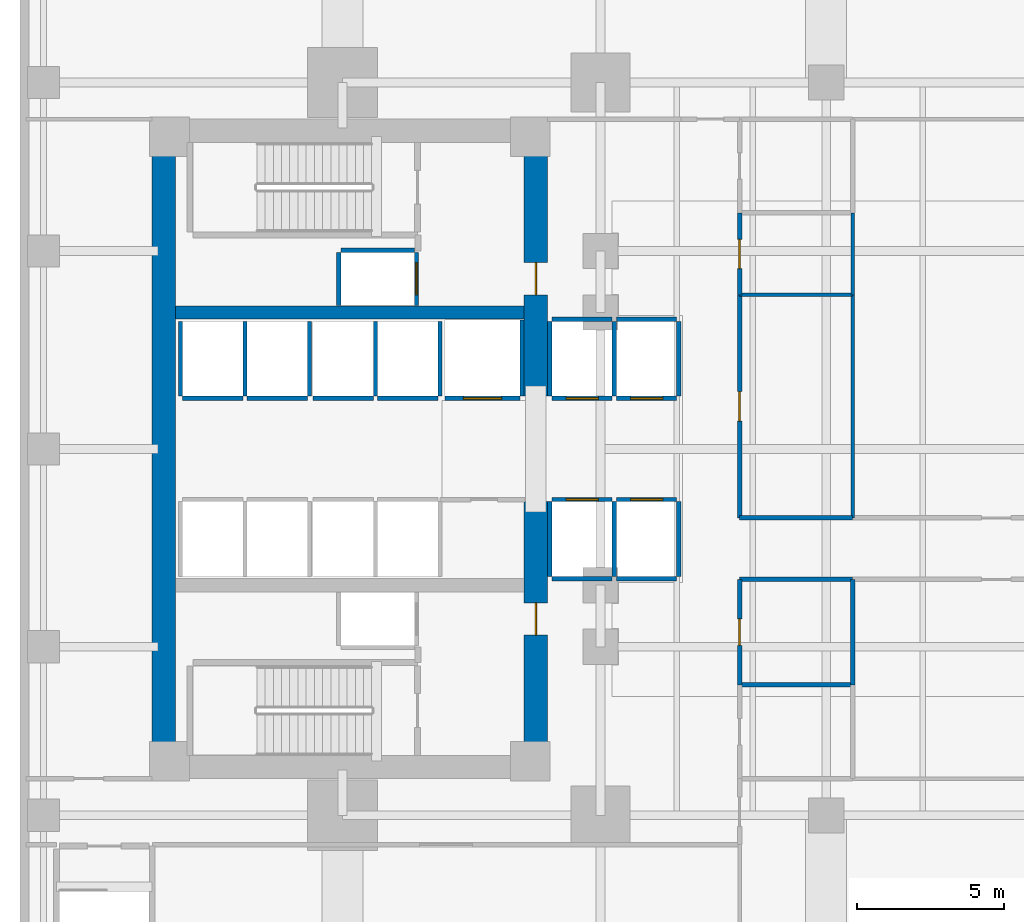
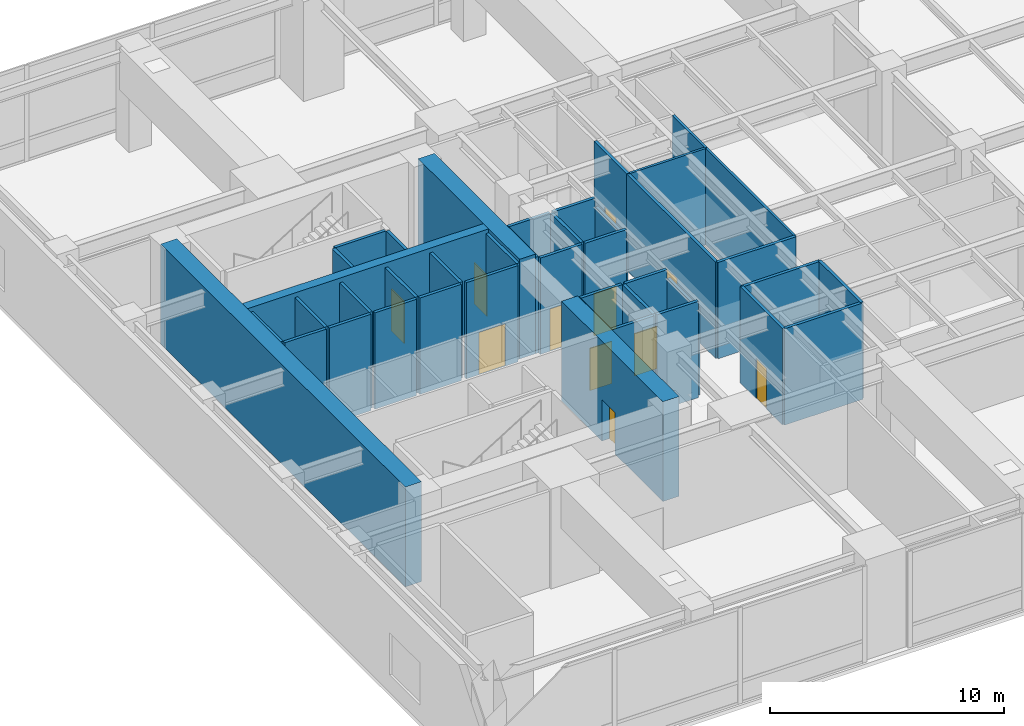
# One storey, part 9 of 14: 42 walls, 11 doors, 11 openings.
"""IFC4 building model written with IfcOpenShell, lengths in metres."""

from ifc_helpers import new_model, si_unit, direction, frame, frame_2d, origin, place, context, subcontext, project, spatial, rectangle, extrude, material, layer, layer_set, type_object, element, fill, save


model = new_model("IFC4")

# Units and contexts
model_context = context("Model", 3, precision=1e-05, world=origin(), true_north=direction((0.0, 1.0)))
body_context = subcontext(model_context, "Body", "Model", "MODEL_VIEW")
ifc_project = project(units=[si_unit("LENGTHUNIT", "METRE"), si_unit("AREAUNIT", "SQUARE_METRE"), si_unit("VOLUMEUNIT", "CUBIC_METRE"), si_unit("PLANEANGLEUNIT", "RADIAN"), si_unit("MASSUNIT", "GRAM", prefix="KILO")], contexts=[model_context])

# Site, building, storey
site_placement = place(None, origin())
site = spatial("IfcSite", under=ifc_project, at=site_placement, CompositionType="ELEMENT")
building_placement = place(site_placement, origin())
building = spatial("IfcBuilding", under=site, at=building_placement, Name="Kinhvarn Gate Tower", CompositionType="ELEMENT")
storey_placement = place(building_placement, frame((0.0, 0.0, 20.39990234375)))
storey = spatial("IfcBuildingStorey", under=building, at=storey_placement, Name="L04", CompositionType="ELEMENT", Elevation=20.39990234375)

# Walls
ifc_material_1 = material(Name="Concrete C50/60", Category="concrete")
ifc_layer_1 = layer(ifc_material_1, 0.449951171875)
ifc_layer_set_1 = layer_set([ifc_layer_1], Name="Concrete C50/60")
wall_type_1 = type_object("IfcWallType", Name="WL-CORE-450", PredefinedType="SHEAR", material=ifc_layer_set_1)
wall_1_placement = place(storey_placement, frame((5.300048828125, 29.89990234375, 0.0), z_axis=(0.0, 0.0, 1.0), x_axis=(1.0, 0.0, 0.0)))
element("IfcWall", 1, at=wall_1_placement, inside=storey, type_object=wall_type_1, Name="Core North Spine Shear Wall L04 450 mm", PredefinedType="SHEAR", context=body_context, shape_type="SweptSolid", body=[
    extrude(rectangle(XDim=11.89990234375, YDim=0.449951171875, at=frame_2d((5.949951171875, 0.0))), origin(), (0.0, 0.0, 1.0), 5.2001953125),
])
ifc_material_2 = material(Name="Concrete C70/85", Category="concrete")
ifc_layer_2 = layer(ifc_material_2, 0.800048828125)
ifc_layer_set_2 = layer_set([ifc_layer_2], Name="Concrete C70/85")
wall_type_2 = type_object("IfcWallType", Name="WL-CORE-800", PredefinedType="SHEAR", material=ifc_layer_set_2)
wall_2_placement = place(storey_placement, frame((4.89990234375, 14.800048828125, 0.0), z_axis=(0.0, 0.0, 1.0), x_axis=(0.0, 1.0, 0.0)))
element("IfcWall", 2, at=wall_2_placement, inside=storey, type_object=wall_type_2, Name="Core West Shear Wall L04 800 mm", PredefinedType="SHEAR", context=body_context, shape_type="SweptSolid", body=[
    extrude(rectangle(XDim=20.89990234375, YDim=0.800048828125, at=frame_2d((10.449951171875, 0.0))), origin(), (0.0, 0.0, 1.0), 5.2001953125),
])

# Wall, opening, door
wall_3_placement = place(storey_placement, frame((17.60009765625, 14.800048828125, 0.0), z_axis=(0.0, 0.0, 1.0), x_axis=(0.0, 1.0, 0.0)))
wall_3 = element("IfcWall", 3, at=wall_3_placement, inside=storey, type_object=wall_type_2, Name="Core East-South Shear Pier L04 800 mm", PredefinedType="SHEAR", context=body_context, shape_type="SweptSolid", body=[
    extrude(rectangle(XDim=8.64990234375, YDim=0.800048828125, at=frame_2d((4.324951171875, 0.0))), origin(), (0.0, 0.0, 1.0), 5.2001953125),
])
opening_1_placement = place(wall_3_placement, frame((4.10009765625, 0.0, 0.0)))
opening_1 = element("IfcOpeningElement", 4, at=opening_1_placement, cuts=wall_3, Name="Opening FD-02", PredefinedType="OPENING", context=body_context, shape_type="SweptSolid", body=[
    extrude(rectangle(XDim=1.10009765625, YDim=2.14990234375, at=frame_2d((0.550048828125, 1.074951171875))), frame((0.0, 0.41015625, 0.0), z_axis=(0.0, -1.0, 0.0), x_axis=(1.0, 0.0, 0.0)), (0.0, 0.0, 1.0), 0.820068359375),
])
ifc_material_3 = material(Name="Anodised aluminium AW-6063", Category="aluminium")
door_type_1 = type_object("IfcDoorType", Name="DR-FD-1100", OperationType="NOTDEFINED", PredefinedType="DOOR", material=ifc_material_3)
door_1_placement = place(opening_1_placement, origin())
door_1 = element("IfcDoor", 5, at=door_1_placement, inside=storey, type_object=door_type_1, Name="Firefighting Lobby Core Door (L04)", OperationType="SINGLE_SWING_RIGHT", OverallHeight=2.14990234375, OverallWidth=1.10009765625, PredefinedType="DOOR", context=body_context, shape_type="SweptSolid", body=[
    extrude(rectangle(XDim=1.10009765625, YDim=2.14990234375, at=frame_2d((0.550048828125, 1.074951171875))), frame((0.0, 0.02490234375, 0.0), z_axis=(0.0, -1.0, 0.0), x_axis=(1.0, 0.0, 0.0)), (0.0, 0.0, 1.0), 0.050048828125),
])
fill(opening_1, door_1)

wall_4_placement = place(storey_placement, frame((17.60009765625, 27.050048828125, 0.0), z_axis=(0.0, 0.0, 1.0), x_axis=(0.0, 1.0, 0.0)))
wall_4 = element("IfcWall", 6, at=wall_4_placement, inside=storey, type_object=wall_type_2, Name="Core East-North Shear Pier L04 800 mm", PredefinedType="SHEAR", context=body_context, shape_type="SweptSolid", body=[
    extrude(rectangle(XDim=8.64990234375, YDim=0.800048828125, at=frame_2d((4.324951171875, 0.0))), origin(), (0.0, 0.0, 1.0), 5.2001953125),
])
opening_2_placement = place(wall_4_placement, frame((3.449951171875, 0.0, 0.0)))
opening_2 = element("IfcOpeningElement", 7, at=opening_2_placement, cuts=wall_4, Name="Opening FD-02", PredefinedType="OPENING", context=body_context, shape_type="SweptSolid", body=[
    extrude(rectangle(XDim=1.10009765625, YDim=2.14990234375, at=frame_2d((0.550048828125, 1.074951171875))), frame((0.0, 0.41015625, 0.0), z_axis=(0.0, -1.0, 0.0), x_axis=(1.0, 0.0, 0.0)), (0.0, 0.0, 1.0), 0.820068359375),
])
door_2_placement = place(opening_2_placement, origin())
door_2 = element("IfcDoor", 8, at=door_2_placement, inside=storey, type_object=door_type_1, Name="Firefighting Lobby Core Door (L04)", OperationType="SINGLE_SWING_LEFT", OverallHeight=2.14990234375, OverallWidth=1.10009765625, PredefinedType="DOOR", context=body_context, shape_type="SweptSolid", body=[
    extrude(rectangle(XDim=1.10009765625, YDim=2.14990234375, at=frame_2d((0.550048828125, 1.074951171875))), frame((0.0, 0.02490234375, 0.0), z_axis=(0.0, -1.0, 0.0), x_axis=(1.0, 0.0, 0.0)), (0.0, 0.0, 1.0), 0.050048828125),
])
fill(opening_2, door_2)

# Walls
ifc_material_4 = material(Name="Gypsum acoustic partition board")
ifc_layer_3 = layer(ifc_material_4, 0.14990234375)
ifc_layer_set_3 = layer_set([ifc_layer_3], Name="Gypsum acoustic partition board")
wall_type_3 = type_object("IfcWallType", Name="WL-PLM-150", PredefinedType="PLUMBINGWALL", material=ifc_layer_set_3)
wall_5_placement = place(storey_placement, frame((24.550048828125, 17.199951171875, 0.0), z_axis=(0.0, 0.0, 1.0), x_axis=(1.0, 0.0, 0.0)))
element("IfcWall", 9, at=wall_5_placement, inside=storey, type_object=wall_type_3, Name="Interior Partition PLW-150 (L04)", PredefinedType="PLUMBINGWALL", context=body_context, shape_type="SweptSolid", body=[
    extrude(rectangle(XDim=3.849853515625, YDim=0.14990234375, at=frame_2d((1.9248046875, 0.0))), origin(), (0.0, 0.0, 1.0), 5.02001953125),
])
wall_6_placement = place(storey_placement, frame((28.39990234375, 17.199951171875, 0.0), z_axis=(0.0, 0.0, 1.0), x_axis=(0.0, 1.0, 0.0)))
element("IfcWall", 10, at=wall_6_placement, inside=storey, type_object=wall_type_3, Name="Interior Partition PLW-150 (L04)", PredefinedType="PLUMBINGWALL", context=body_context, shape_type="SweptSolid", body=[
    extrude(rectangle(XDim=3.60009765625, YDim=0.14990234375, at=frame_2d((1.800048828125, 0.0))), origin(), (0.0, 0.0, 1.0), 5.02001953125),
])

# Wall, opening, door
ifc_layer_4 = layer(ifc_material_4, 0.14990234375)
ifc_layer_set_4 = layer_set([ifc_layer_4], Name="Gypsum acoustic partition board")
wall_type_4 = type_object("IfcWallType", Name="WL-PLM-150F", PredefinedType="PLUMBINGWALL", material=ifc_layer_set_4)
wall_7_placement = place(storey_placement, frame((24.550048828125, 17.199951171875, 0.0), z_axis=(0.0, 0.0, 1.0), x_axis=(0.0, 1.0, 0.0)))
wall_7 = element("IfcWall", 11, at=wall_7_placement, inside=storey, type_object=wall_type_4, Name="Interior Partition PLW-150F (L04)", PredefinedType="PLUMBINGWALL", context=body_context, shape_type="SweptSolid", body=[
    extrude(rectangle(XDim=3.60009765625, YDim=0.14990234375, at=frame_2d((1.800048828125, 0.0))), origin(), (0.0, 0.0, 1.0), 5.02001953125),
])
opening_3_placement = place(wall_7_placement, frame((1.35009765625, 0.0, 0.0)))
opening_3 = element("IfcOpeningElement", 12, at=opening_3_placement, cuts=wall_7, Name="Opening FD-04", PredefinedType="OPENING", context=body_context, shape_type="SweptSolid", body=[
    extrude(rectangle(XDim=0.89990234375, YDim=2.10009765625, at=frame_2d((0.449951171875, 1.050048828125))), frame((0.0, 0.0849609375, 0.0), z_axis=(0.0, -1.0, 0.0), x_axis=(1.0, 0.0, 0.0)), (0.0, 0.0, 1.0), 0.169921875),
])
door_type_2 = type_object("IfcDoorType", Name="DR-FD-900", OperationType="NOTDEFINED", PredefinedType="DOOR", material=ifc_material_3)
door_3_placement = place(opening_3_placement, origin())
door_3 = element("IfcDoor", 13, at=door_3_placement, inside=storey, type_object=door_type_2, Name="Rated Riser & Service Closet Fire Door 900x2100 mm (L04)", OperationType="SINGLE_SWING_LEFT", OverallHeight=2.10009765625, OverallWidth=0.89990234375, PredefinedType="DOOR", context=body_context, shape_type="SweptSolid", body=[
    extrude(rectangle(XDim=0.89990234375, YDim=2.10009765625, at=frame_2d((0.449951171875, 1.050048828125))), frame((0.0, 0.02490234375, 0.0), z_axis=(0.0, -1.0, 0.0), x_axis=(1.0, 0.0, 0.0)), (0.0, 0.0, 1.0), 0.050048828125),
])
fill(opening_3, door_3)

# Walls
wall_8_placement = place(storey_placement, frame((24.550048828125, 20.800048828125, 0.0), z_axis=(0.0, 0.0, 1.0), x_axis=(1.0, 0.0, 0.0)))
element("IfcWall", 14, at=wall_8_placement, inside=storey, type_object=wall_type_4, Name="Interior Partition PLW-150F (L04)", PredefinedType="PLUMBINGWALL", context=body_context, shape_type="SweptSolid", body=[
    extrude(rectangle(XDim=3.849853515625, YDim=0.14990234375, at=frame_2d((1.9248046875, 0.0))), origin(), (0.0, 0.0, 1.0), 5.02001953125),
])
ifc_layer_5 = layer(ifc_material_4, 0.1201171875)
ifc_layer_set_5 = layer_set([ifc_layer_5], Name="Gypsum acoustic partition board")
wall_type_5 = type_object("IfcWallType", Name="WL-PRT-120", PredefinedType="PARTITIONING", material=ifc_layer_set_5)
wall_9_placement = place(storey_placement, frame((24.550048828125, 30.5, 0.0), z_axis=(0.0, 0.0, 1.0), x_axis=(1.0, 0.0, 0.0)))
element("IfcWall", 15, at=wall_9_placement, inside=storey, type_object=wall_type_5, Name="Interior Partition PW-120 (L04)", PredefinedType="PARTITIONING", context=body_context, shape_type="SweptSolid", body=[
    extrude(rectangle(XDim=3.849853515625, YDim=0.1201171875, at=frame_2d((1.9248046875, 0.0))), origin(), (0.0, 0.0, 1.0), 5.02001953125),
])
wall_10_placement = place(storey_placement, frame((28.39990234375, 30.5, 0.0), z_axis=(0.0, 0.0, 1.0), x_axis=(0.0, 1.0, 0.0)))
element("IfcWall", 16, at=wall_10_placement, inside=storey, type_object=wall_type_5, Name="Interior Partition PW-120 (L04)", PredefinedType="PARTITIONING", context=body_context, shape_type="SweptSolid", body=[
    extrude(rectangle(XDim=2.800048828125, YDim=0.1201171875, at=frame_2d((1.39990234375, 0.0))), origin(), (0.0, 0.0, 1.0), 5.02001953125),
])
wall_11_placement = place(storey_placement, frame((28.39990234375, 22.89990234375, 0.0), z_axis=(0.0, 0.0, 1.0), x_axis=(0.0, 1.0, 0.0)))
element("IfcWall", 17, at=wall_11_placement, inside=storey, type_object=wall_type_5, Name="Interior Partition PW-120 (L04)", PredefinedType="PARTITIONING", context=body_context, shape_type="SweptSolid", body=[
    extrude(rectangle(XDim=7.60009765625, YDim=0.1201171875, at=frame_2d((3.800048828125, 0.0))), origin(), (0.0, 0.0, 1.0), 5.02001953125),
])

# Wall, opening, door
ifc_layer_6 = layer(ifc_material_4, 0.14990234375)
ifc_layer_set_6 = layer_set([ifc_layer_6], Name="Gypsum acoustic partition board")
wall_type_6 = type_object("IfcWallType", Name="WL-PRT-150F", PredefinedType="PARTITIONING", material=ifc_layer_set_6)
wall_12_placement = place(storey_placement, frame((24.550048828125, 30.5, 0.0), z_axis=(0.0, 0.0, 1.0), x_axis=(0.0, 1.0, 0.0)))
wall_12 = element("IfcWall", 18, at=wall_12_placement, inside=storey, type_object=wall_type_6, Name="Interior Partition PW-150F (L04)", PredefinedType="PARTITIONING", context=body_context, shape_type="SweptSolid", body=[
    extrude(rectangle(XDim=2.800048828125, YDim=0.14990234375, at=frame_2d((1.39990234375, 0.0))), origin(), (0.0, 0.0, 1.0), 5.02001953125),
])
opening_4_placement = place(wall_12_placement, frame((0.89990234375, 0.0, 0.0)))
opening_4 = element("IfcOpeningElement", 19, at=opening_4_placement, cuts=wall_12, Name="Opening ID-02", PredefinedType="OPENING", context=body_context, shape_type="SweptSolid", body=[
    extrude(rectangle(XDim=1.0, YDim=2.14990234375, at=frame_2d((0.5, 1.074951171875))), frame((0.0, 0.0849609375, 0.0), z_axis=(0.0, -1.0, 0.0), x_axis=(1.0, 0.0, 0.0)), (0.0, 0.0, 1.0), 0.169921875),
])
door_type_3 = type_object("IfcDoorType", Name="DR-INT-1000", OperationType="NOTDEFINED", PredefinedType="DOOR", material=ifc_material_3)
door_4_placement = place(opening_4_placement, origin())
door_4 = element("IfcDoor", 20, at=door_4_placement, inside=storey, type_object=door_type_3, Name="Standard Office & Meeting Room Door 1000x2150 mm (L04)", OperationType="SINGLE_SWING_RIGHT", OverallHeight=2.14990234375, OverallWidth=1.0, PredefinedType="DOOR", context=body_context, shape_type="SweptSolid", body=[
    extrude(rectangle(XDim=1.0, YDim=2.14990234375, at=frame_2d((0.5, 1.074951171875))), frame((0.0, 0.02490234375, 0.0), z_axis=(0.0, -1.0, 0.0), x_axis=(1.0, 0.0, 0.0)), (0.0, 0.0, 1.0), 0.050048828125),
])
fill(opening_4, door_4)

wall_13_placement = place(storey_placement, frame((24.550048828125, 22.89990234375, 0.0), z_axis=(0.0, 0.0, 1.0), x_axis=(0.0, 1.0, 0.0)))
wall_13 = element("IfcWall", 21, at=wall_13_placement, inside=storey, type_object=wall_type_6, Name="Interior Partition PW-150F (L04)", PredefinedType="PARTITIONING", context=body_context, shape_type="SweptSolid", body=[
    extrude(rectangle(XDim=7.60009765625, YDim=0.14990234375, at=frame_2d((3.800048828125, 0.0))), origin(), (0.0, 0.0, 1.0), 5.02001953125),
])
opening_5_placement = place(wall_13_placement, frame((3.300048828125, 0.0, 0.0)))
opening_5 = element("IfcOpeningElement", 22, at=opening_5_placement, cuts=wall_13, Name="Opening ID-02", PredefinedType="OPENING", context=body_context, shape_type="SweptSolid", body=[
    extrude(rectangle(XDim=1.0, YDim=2.14990234375, at=frame_2d((0.5, 1.074951171875))), frame((0.0, 0.0849609375, 0.0), z_axis=(0.0, -1.0, 0.0), x_axis=(1.0, 0.0, 0.0)), (0.0, 0.0, 1.0), 0.169921875),
])
door_5_placement = place(opening_5_placement, origin())
door_5 = element("IfcDoor", 23, at=door_5_placement, inside=storey, type_object=door_type_3, Name="Standard Office & Meeting Room Door 1000x2150 mm (L04)", OperationType="SINGLE_SWING_LEFT", OverallHeight=2.14990234375, OverallWidth=1.0, PredefinedType="DOOR", context=body_context, shape_type="SweptSolid", body=[
    extrude(rectangle(XDim=1.0, YDim=2.14990234375, at=frame_2d((0.5, 1.074951171875))), frame((0.0, 0.02490234375, 0.0), z_axis=(0.0, -1.0, 0.0), x_axis=(1.0, 0.0, 0.0)), (0.0, 0.0, 1.0), 0.050048828125),
])
fill(opening_5, door_5)

# Walls
wall_14_placement = place(storey_placement, frame((24.550048828125, 22.89990234375, 0.0), z_axis=(0.0, 0.0, 1.0), x_axis=(1.0, 0.0, 0.0)))
element("IfcWall", 24, at=wall_14_placement, inside=storey, type_object=wall_type_6, Name="Interior Partition PW-150F (L04)", PredefinedType="PARTITIONING", context=body_context, shape_type="SweptSolid", body=[
    extrude(rectangle(XDim=3.849853515625, YDim=0.14990234375, at=frame_2d((1.9248046875, 0.0))), origin(), (0.0, 0.0, 1.0), 5.02001953125),
])
ifc_layer_7 = layer(ifc_material_4, 0.14990234375)
ifc_layer_set_7 = layer_set([ifc_layer_7], Name="Gypsum acoustic partition board")
wall_type_7 = type_object("IfcWallType", Name="WL-SHF-150", PredefinedType="PARTITIONING", material=ifc_layer_set_7)
wall_15_placement = place(storey_placement, frame((18.14990234375, 20.824951171875, 0.0), z_axis=(0.0, 0.0, 1.0), x_axis=(1.0, 0.0, 0.0)))
element("IfcWall", 25, at=wall_15_placement, inside=storey, type_object=wall_type_7, Name="Elevator PL-01 Hoistway Wall S (L04)", PredefinedType="PARTITIONING", context=body_context, shape_type="SweptSolid", body=[
    extrude(rectangle(XDim=2.050048828125, YDim=0.14990234375, at=frame_2d((1.02490234375, 0.0))), origin(), (0.0, 0.0, 1.0), 5.02001953125),
])

# Wall, opening, door
wall_16_placement = place(storey_placement, frame((18.14990234375, 23.52490234375, 0.0), z_axis=(0.0, 0.0, 1.0), x_axis=(1.0, 0.0, 0.0)))
wall_16 = element("IfcWall", 26, at=wall_16_placement, inside=storey, type_object=wall_type_7, Name="Elevator PL-01 Landing Wall (L04)", PredefinedType="PARTITIONING", context=body_context, shape_type="SweptSolid", body=[
    extrude(rectangle(XDim=2.050048828125, YDim=0.14990234375, at=frame_2d((1.02490234375, 0.0))), origin(), (0.0, 0.0, 1.0), 5.02001953125),
])
opening_6_placement = place(wall_16_placement, frame((0.47509765625, 0.0, 0.0)))
opening_6 = element("IfcOpeningElement", 27, at=opening_6_placement, cuts=wall_16, Name="Opening LD-01", PredefinedType="OPENING", context=body_context, shape_type="SweptSolid", body=[
    extrude(rectangle(XDim=1.10009765625, YDim=2.199951171875, at=frame_2d((0.550048828125, 1.10009765625))), frame((0.0, 0.0849609375, 0.0), z_axis=(0.0, -1.0, 0.0), x_axis=(1.0, 0.0, 0.0)), (0.0, 0.0, 1.0), 0.169921875),
])
door_type_4 = type_object("IfcDoorType", Name="DR-LND-PAS", OperationType="NOTDEFINED", PredefinedType="DOOR", material=ifc_material_3)
door_6_placement = place(opening_6_placement, origin())
door_6 = element("IfcDoor", 28, at=door_6_placement, inside=storey, type_object=door_type_4, Name="Elevator PL-01 Sliding Landing Door (L04)", OperationType="DOUBLE_DOOR_SLIDING", OverallHeight=2.199951171875, OverallWidth=1.10009765625, PredefinedType="DOOR", context=body_context, shape_type="SweptSolid", body=[
    extrude(rectangle(XDim=1.10009765625, YDim=2.199951171875, at=frame_2d((0.550048828125, 1.10009765625))), frame((0.0, 0.02490234375, 0.0), z_axis=(0.0, -1.0, 0.0), x_axis=(1.0, 0.0, 0.0)), (0.0, 0.0, 1.0), 0.050048828125),
])
fill(opening_6, door_6)

# Walls
for number, where, z_axis, x_axis, name in (
    (29, (18.074951171875, 20.89990234375, 0.0), (0.0, 0.0, 1.0), (0.0, 1.0, 0.0), "Elevator PL-01 Hoistway Wall W (L04)"),
    (30, (20.27490234375, 20.89990234375, 0.0), (0.0, 0.0, 1.0), (0.0, 1.0, 0.0), "Elevator PL-01 Hoistway Wall E (L04)"),
):
    element("IfcWall", number, at=place(storey_placement, frame(where, z_axis=z_axis, x_axis=x_axis)), inside=storey, type_object=wall_type_7, Name=name, PredefinedType="PARTITIONING", context=body_context, shape_type="SweptSolid", body=[
        extrude(rectangle(XDim=2.550048828125, YDim=0.14990234375, at=frame_2d((1.27490234375, 0.0))), origin(), (0.0, 0.0, 1.0), 5.02001953125),
    ])
wall_17_placement = place(storey_placement, frame((20.35009765625, 20.824951171875, 0.0), z_axis=(0.0, 0.0, 1.0), x_axis=(1.0, 0.0, 0.0)))
element("IfcWall", 31, at=wall_17_placement, inside=storey, type_object=wall_type_7, Name="Elevator PL-02 Hoistway Wall S (L04)", PredefinedType="PARTITIONING", context=body_context, shape_type="SweptSolid", body=[
    extrude(rectangle(XDim=2.0498046875, YDim=0.14990234375, at=frame_2d((1.02490234375, 0.0))), origin(), (0.0, 0.0, 1.0), 5.02001953125),
])

# Wall, opening, door
wall_18_placement = place(storey_placement, frame((20.35009765625, 23.52490234375, 0.0), z_axis=(0.0, 0.0, 1.0), x_axis=(1.0, 0.0, 0.0)))
wall_18 = element("IfcWall", 32, at=wall_18_placement, inside=storey, type_object=wall_type_7, Name="Elevator PL-02 Landing Wall (L04)", PredefinedType="PARTITIONING", context=body_context, shape_type="SweptSolid", body=[
    extrude(rectangle(XDim=2.0498046875, YDim=0.14990234375, at=frame_2d((1.02490234375, 0.0))), origin(), (0.0, 0.0, 1.0), 5.02001953125),
])
opening_7_placement = place(wall_18_placement, frame((0.47509765625, 0.0, 0.0)))
opening_7 = element("IfcOpeningElement", 33, at=opening_7_placement, cuts=wall_18, Name="Opening LD-01", PredefinedType="OPENING", context=body_context, shape_type="SweptSolid", body=[
    extrude(rectangle(XDim=1.10009765625, YDim=2.199951171875, at=frame_2d((0.550048828125, 1.10009765625))), frame((0.0, 0.0849609375, 0.0), z_axis=(0.0, -1.0, 0.0), x_axis=(1.0, 0.0, 0.0)), (0.0, 0.0, 1.0), 0.169921875),
])
door_7_placement = place(opening_7_placement, origin())
door_7 = element("IfcDoor", 34, at=door_7_placement, inside=storey, type_object=door_type_4, Name="Elevator PL-02 Sliding Landing Door (L04)", OperationType="DOUBLE_DOOR_SLIDING", OverallHeight=2.199951171875, OverallWidth=1.10009765625, PredefinedType="DOOR", context=body_context, shape_type="SweptSolid", body=[
    extrude(rectangle(XDim=1.10009765625, YDim=2.199951171875, at=frame_2d((0.550048828125, 1.10009765625))), frame((0.0, 0.02490234375, 0.0), z_axis=(0.0, -1.0, 0.0), x_axis=(1.0, 0.0, 0.0)), (0.0, 0.0, 1.0), 0.050048828125),
])
fill(opening_7, door_7)

# Wall
wall_19_placement = place(storey_placement, frame((22.47509765625, 20.89990234375, 0.0), z_axis=(0.0, 0.0, 1.0), x_axis=(0.0, 1.0, 0.0)))
element("IfcWall", 35, at=wall_19_placement, inside=storey, type_object=wall_type_7, Name="Elevator PL-02 Hoistway Wall E (L04)", PredefinedType="PARTITIONING", context=body_context, shape_type="SweptSolid", body=[
    extrude(rectangle(XDim=2.550048828125, YDim=0.14990234375, at=frame_2d((1.27490234375, 0.0))), origin(), (0.0, 0.0, 1.0), 4.570068359375),
])

# Wall, opening, door
wall_20_placement = place(storey_placement, frame((18.14990234375, 26.97509765625, 0.0), z_axis=(0.0, 0.0, 1.0), x_axis=(1.0, 0.0, 0.0)))
wall_20 = element("IfcWall", 36, at=wall_20_placement, inside=storey, type_object=wall_type_7, Name="Elevator PL-03 Landing Wall (L04)", PredefinedType="PARTITIONING", context=body_context, shape_type="SweptSolid", body=[
    extrude(rectangle(XDim=2.050048828125, YDim=0.14990234375, at=frame_2d((1.02490234375, 0.0))), origin(), (0.0, 0.0, 1.0), 5.02001953125),
])
opening_8_placement = place(wall_20_placement, frame((0.47509765625, 0.0, 0.0)))
opening_8 = element("IfcOpeningElement", 37, at=opening_8_placement, cuts=wall_20, Name="Opening LD-01", PredefinedType="OPENING", context=body_context, shape_type="SweptSolid", body=[
    extrude(rectangle(XDim=1.10009765625, YDim=2.199951171875, at=frame_2d((0.550048828125, 1.10009765625))), frame((0.0, 0.0849609375, 0.0), z_axis=(0.0, -1.0, 0.0), x_axis=(1.0, 0.0, 0.0)), (0.0, 0.0, 1.0), 0.169921875),
])
door_8_placement = place(opening_8_placement, origin())
door_8 = element("IfcDoor", 38, at=door_8_placement, inside=storey, type_object=door_type_4, Name="Elevator PL-03 Sliding Landing Door (L04)", OperationType="DOUBLE_DOOR_SLIDING", OverallHeight=2.199951171875, OverallWidth=1.10009765625, PredefinedType="DOOR", context=body_context, shape_type="SweptSolid", body=[
    extrude(rectangle(XDim=1.10009765625, YDim=2.199951171875, at=frame_2d((0.550048828125, 1.10009765625))), frame((0.0, 0.02490234375, 0.0), z_axis=(0.0, -1.0, 0.0), x_axis=(1.0, 0.0, 0.0)), (0.0, 0.0, 1.0), 0.050048828125),
])
fill(opening_8, door_8)

# Walls
wall_21_placement = place(storey_placement, frame((18.14990234375, 29.675048828125, 0.0), z_axis=(0.0, 0.0, 1.0), x_axis=(1.0, 0.0, 0.0)))
element("IfcWall", 39, at=wall_21_placement, inside=storey, type_object=wall_type_7, Name="Elevator PL-03 Hoistway Wall N (L04)", PredefinedType="PARTITIONING", context=body_context, shape_type="SweptSolid", body=[
    extrude(rectangle(XDim=2.050048828125, YDim=0.14990234375, at=frame_2d((1.02490234375, 0.0))), origin(), (0.0, 0.0, 1.0), 5.02001953125),
])
for number, where, z_axis, x_axis, name in (
    (40, (18.074951171875, 27.050048828125, 0.0), (0.0, 0.0, 1.0), (0.0, 1.0, 0.0), "Elevator PL-03 Hoistway Wall W (L04)"),
    (41, (20.27490234375, 27.050048828125, 0.0), (0.0, 0.0, 1.0), (0.0, 1.0, 0.0), "Elevator PL-03 Hoistway Wall E (L04)"),
):
    element("IfcWall", number, at=place(storey_placement, frame(where, z_axis=z_axis, x_axis=x_axis)), inside=storey, type_object=wall_type_7, Name=name, PredefinedType="PARTITIONING", context=body_context, shape_type="SweptSolid", body=[
        extrude(rectangle(XDim=2.550048828125, YDim=0.14990234375, at=frame_2d((1.27490234375, 0.0))), origin(), (0.0, 0.0, 1.0), 5.02001953125),
    ])

# Wall, opening, door
wall_22_placement = place(storey_placement, frame((20.35009765625, 26.97509765625, 0.0), z_axis=(0.0, 0.0, 1.0), x_axis=(1.0, 0.0, 0.0)))
wall_22 = element("IfcWall", 42, at=wall_22_placement, inside=storey, type_object=wall_type_7, Name="Elevator PL-04 Landing Wall (L04)", PredefinedType="PARTITIONING", context=body_context, shape_type="SweptSolid", body=[
    extrude(rectangle(XDim=2.0498046875, YDim=0.14990234375, at=frame_2d((1.02490234375, 0.0))), origin(), (0.0, 0.0, 1.0), 5.02001953125),
])
opening_9_placement = place(wall_22_placement, frame((0.47509765625, 0.0, 0.0)))
opening_9 = element("IfcOpeningElement", 43, at=opening_9_placement, cuts=wall_22, Name="Opening LD-01", PredefinedType="OPENING", context=body_context, shape_type="SweptSolid", body=[
    extrude(rectangle(XDim=1.10009765625, YDim=2.199951171875, at=frame_2d((0.550048828125, 1.10009765625))), frame((0.0, 0.0849609375, 0.0), z_axis=(0.0, -1.0, 0.0), x_axis=(1.0, 0.0, 0.0)), (0.0, 0.0, 1.0), 0.169921875),
])
door_9_placement = place(opening_9_placement, origin())
door_9 = element("IfcDoor", 44, at=door_9_placement, inside=storey, type_object=door_type_4, Name="Elevator PL-04 Sliding Landing Door (L04)", OperationType="DOUBLE_DOOR_SLIDING", OverallHeight=2.199951171875, OverallWidth=1.10009765625, PredefinedType="DOOR", context=body_context, shape_type="SweptSolid", body=[
    extrude(rectangle(XDim=1.10009765625, YDim=2.199951171875, at=frame_2d((0.550048828125, 1.10009765625))), frame((0.0, 0.02490234375, 0.0), z_axis=(0.0, -1.0, 0.0), x_axis=(1.0, 0.0, 0.0)), (0.0, 0.0, 1.0), 0.050048828125),
])
fill(opening_9, door_9)

# Walls
wall_23_placement = place(storey_placement, frame((20.35009765625, 29.675048828125, 0.0), z_axis=(0.0, 0.0, 1.0), x_axis=(1.0, 0.0, 0.0)))
element("IfcWall", 45, at=wall_23_placement, inside=storey, type_object=wall_type_7, Name="Elevator PL-04 Hoistway Wall N (L04)", PredefinedType="PARTITIONING", context=body_context, shape_type="SweptSolid", body=[
    extrude(rectangle(XDim=2.0498046875, YDim=0.14990234375, at=frame_2d((1.02490234375, 0.0))), origin(), (0.0, 0.0, 1.0), 5.02001953125),
])
wall_24_placement = place(storey_placement, frame((22.47509765625, 27.050048828125, 0.0), z_axis=(0.0, 0.0, 1.0), x_axis=(0.0, 1.0, 0.0)))
element("IfcWall", 46, at=wall_24_placement, inside=storey, type_object=wall_type_7, Name="Elevator PL-04 Hoistway Wall E (L04)", PredefinedType="PARTITIONING", context=body_context, shape_type="SweptSolid", body=[
    extrude(rectangle(XDim=2.550048828125, YDim=0.14990234375, at=frame_2d((1.27490234375, 0.0))), origin(), (0.0, 0.0, 1.0), 4.570068359375),
])
wall_25_placement = place(storey_placement, frame((5.550048828125, 26.97509765625, 0.0), z_axis=(0.0, 0.0, 1.0), x_axis=(1.0, 0.0, 0.0)))
element("IfcWall", 47, at=wall_25_placement, inside=storey, type_object=wall_type_7, Name="Elevator PM-07 Landing Wall (L04)", PredefinedType="PARTITIONING", context=body_context, shape_type="SweptSolid", body=[
    extrude(rectangle(XDim=2.050048828125, YDim=0.14990234375, at=frame_2d((1.02490234375, 0.0))), origin(), (0.0, 0.0, 1.0), 5.02001953125),
])
for number, where, z_axis, x_axis, name in (
    (48, (5.47509765625, 27.050048828125, 0.0), (0.0, 0.0, 1.0), (0.0, 1.0, 0.0), "Elevator PM-07 Hoistway Wall W (L04)"),
    (49, (7.675048828125, 27.050048828125, 0.0), (0.0, 0.0, 1.0), (0.0, 1.0, 0.0), "Elevator PM-07 Hoistway Wall E (L04)"),
):
    element("IfcWall", number, at=place(storey_placement, frame(where, z_axis=z_axis, x_axis=x_axis)), inside=storey, type_object=wall_type_7, Name=name, PredefinedType="PARTITIONING", context=body_context, shape_type="SweptSolid", body=[
        extrude(rectangle(XDim=2.550048828125, YDim=0.14990234375, at=frame_2d((1.27490234375, 0.0))), origin(), (0.0, 0.0, 1.0), 5.02001953125),
    ])
wall_26_placement = place(storey_placement, frame((7.75, 26.97509765625, 0.0), z_axis=(0.0, 0.0, 1.0), x_axis=(1.0, 0.0, 0.0)))
element("IfcWall", 50, at=wall_26_placement, inside=storey, type_object=wall_type_7, Name="Elevator PM-08 Landing Wall (L04)", PredefinedType="PARTITIONING", context=body_context, shape_type="SweptSolid", body=[
    extrude(rectangle(XDim=2.050048828125, YDim=0.14990234375, at=frame_2d((1.02490234375, 0.0))), origin(), (0.0, 0.0, 1.0), 5.02001953125),
])
wall_27_placement = place(storey_placement, frame((9.875, 27.050048828125, 0.0), z_axis=(0.0, 0.0, 1.0), x_axis=(0.0, 1.0, 0.0)))
element("IfcWall", 51, at=wall_27_placement, inside=storey, type_object=wall_type_7, Name="Elevator PM-08 Hoistway Wall E (L04)", PredefinedType="PARTITIONING", context=body_context, shape_type="SweptSolid", body=[
    extrude(rectangle(XDim=2.550048828125, YDim=0.14990234375, at=frame_2d((1.27490234375, 0.0))), origin(), (0.0, 0.0, 1.0), 5.02001953125),
])
wall_28_placement = place(storey_placement, frame((10.0, 26.97509765625, 0.0), z_axis=(0.0, 0.0, 1.0), x_axis=(1.0, 0.0, 0.0)))
element("IfcWall", 52, at=wall_28_placement, inside=storey, type_object=wall_type_7, Name="Elevator PH-11 Landing Wall (L04)", PredefinedType="PARTITIONING", context=body_context, shape_type="SweptSolid", body=[
    extrude(rectangle(XDim=2.050048828125, YDim=0.14990234375, at=frame_2d((1.02490234375, 0.0))), origin(), (0.0, 0.0, 1.0), 5.02001953125),
])
wall_29_placement = place(storey_placement, frame((12.125, 27.050048828125, 0.0), z_axis=(0.0, 0.0, 1.0), x_axis=(0.0, 1.0, 0.0)))
element("IfcWall", 53, at=wall_29_placement, inside=storey, type_object=wall_type_7, Name="Elevator PH-11 Hoistway Wall E (L04)", PredefinedType="PARTITIONING", context=body_context, shape_type="SweptSolid", body=[
    extrude(rectangle(XDim=2.550048828125, YDim=0.14990234375, at=frame_2d((1.27490234375, 0.0))), origin(), (0.0, 0.0, 1.0), 5.02001953125),
])
wall_30_placement = place(storey_placement, frame((12.199951171875, 26.97509765625, 0.0), z_axis=(0.0, 0.0, 1.0), x_axis=(1.0, 0.0, 0.0)))
element("IfcWall", 54, at=wall_30_placement, inside=storey, type_object=wall_type_7, Name="Elevator PH-12 Landing Wall (L04)", PredefinedType="PARTITIONING", context=body_context, shape_type="SweptSolid", body=[
    extrude(rectangle(XDim=2.050048828125, YDim=0.14990234375, at=frame_2d((1.02490234375, 0.0))), origin(), (0.0, 0.0, 1.0), 5.02001953125),
])
wall_31_placement = place(storey_placement, frame((14.324951171875, 27.050048828125, 0.0), z_axis=(0.0, 0.0, 1.0), x_axis=(0.0, 1.0, 0.0)))
element("IfcWall", 55, at=wall_31_placement, inside=storey, type_object=wall_type_7, Name="Elevator PH-12 Hoistway Wall E (L04)", PredefinedType="PARTITIONING", context=body_context, shape_type="SweptSolid", body=[
    extrude(rectangle(XDim=2.550048828125, YDim=0.14990234375, at=frame_2d((1.27490234375, 0.0))), origin(), (0.0, 0.0, 1.0), 5.02001953125),
])

# Wall, opening, door
wall_32_placement = place(storey_placement, frame((14.5, 26.97509765625, 0.0), z_axis=(0.0, 0.0, 1.0), x_axis=(1.0, 0.0, 0.0)))
wall_32 = element("IfcWall", 56, at=wall_32_placement, inside=storey, type_object=wall_type_7, Name="Elevator SV-01 Landing Wall (L04)", PredefinedType="PARTITIONING", context=body_context, shape_type="SweptSolid", body=[
    extrude(rectangle(XDim=2.550048828125, YDim=0.14990234375, at=frame_2d((1.27490234375, 0.0))), origin(), (0.0, 0.0, 1.0), 5.02001953125),
])
opening_10_placement = place(wall_32_placement, frame((0.625, 0.0, 0.0)))
opening_10 = element("IfcOpeningElement", 57, at=opening_10_placement, cuts=wall_32, Name="Opening LD-02", PredefinedType="OPENING", context=body_context, shape_type="SweptSolid", body=[
    extrude(rectangle(XDim=1.300048828125, YDim=2.199951171875, at=frame_2d((0.64990234375, 1.10009765625))), frame((0.0, 0.0849609375, 0.0), z_axis=(0.0, -1.0, 0.0), x_axis=(1.0, 0.0, 0.0)), (0.0, 0.0, 1.0), 0.169921875),
])
door_type_5 = type_object("IfcDoorType", Name="DR-LND-SRV", OperationType="NOTDEFINED", PredefinedType="DOOR", material=ifc_material_3)
door_10_placement = place(opening_10_placement, origin())
door_10 = element("IfcDoor", 58, at=door_10_placement, inside=storey, type_object=door_type_5, Name="Elevator SV-01 Sliding Landing Door (L04)", OperationType="DOUBLE_DOOR_SLIDING", OverallHeight=2.199951171875, OverallWidth=1.300048828125, PredefinedType="DOOR", context=body_context, shape_type="SweptSolid", body=[
    extrude(rectangle(XDim=1.300048828125, YDim=2.199951171875, at=frame_2d((0.64990234375, 1.10009765625))), frame((0.0, 0.02490234375, 0.0), z_axis=(0.0, -1.0, 0.0), x_axis=(1.0, 0.0, 0.0)), (0.0, 0.0, 1.0), 0.050048828125),
])
fill(opening_10, door_10)

# Walls
wall_33_placement = place(storey_placement, frame((17.125, 27.050048828125, 0.0), z_axis=(0.0, 0.0, 1.0), x_axis=(0.0, 1.0, 0.0)))
element("IfcWall", 59, at=wall_33_placement, inside=storey, type_object=wall_type_7, Name="Elevator SV-01 Hoistway Wall E (L04)", PredefinedType="PARTITIONING", context=body_context, shape_type="SweptSolid", body=[
    extrude(rectangle(XDim=2.599853515625, YDim=0.14990234375, at=frame_2d((1.2998046875, 0.0))), origin(), (0.0, 0.0, 1.0), 5.02001953125),
])
wall_34_placement = place(storey_placement, frame((10.949951171875, 32.02490234375, 0.0), z_axis=(0.0, 0.0, 1.0), x_axis=(1.0, 0.0, 0.0)))
element("IfcWall", 60, at=wall_34_placement, inside=storey, type_object=wall_type_7, Name="Elevator FF2 Hoistway Wall N (L04)", PredefinedType="PARTITIONING", context=body_context, shape_type="SweptSolid", body=[
    extrude(rectangle(XDim=2.5, YDim=0.14990234375, at=frame_2d((1.25, 0.0))), origin(), (0.0, 0.0, 1.0), 5.02001953125),
])
wall_35_placement = place(storey_placement, frame((10.875, 30.14990234375, 0.0), z_axis=(0.0, 0.0, 1.0), x_axis=(0.0, 1.0, 0.0)))
element("IfcWall", 61, at=wall_35_placement, inside=storey, type_object=wall_type_7, Name="Elevator FF2 Hoistway Wall W (L04)", PredefinedType="PARTITIONING", context=body_context, shape_type="SweptSolid", body=[
    extrude(rectangle(XDim=1.800048828125, YDim=0.14990234375, at=frame_2d((0.89990234375, 0.0))), origin(), (0.0, 0.0, 1.0), 5.02001953125),
])

# Wall, opening, door
wall_36_placement = place(storey_placement, frame((13.52490234375, 30.14990234375, 0.0), z_axis=(0.0, 0.0, 1.0), x_axis=(0.0, 1.0, 0.0)))
wall_36 = element("IfcWall", 62, at=wall_36_placement, inside=storey, type_object=wall_type_7, Name="Elevator FF2 Landing Wall (L04)", PredefinedType="PARTITIONING", context=body_context, shape_type="SweptSolid", body=[
    extrude(rectangle(XDim=1.800048828125, YDim=0.14990234375, at=frame_2d((0.89990234375, 0.0))), origin(), (0.0, 0.0, 1.0), 5.02001953125),
])
opening_11_placement = place(wall_36_placement, frame((0.35009765625, 0.0, 0.0)))
opening_11 = element("IfcOpeningElement", 63, at=opening_11_placement, cuts=wall_36, Name="Opening LD-03", PredefinedType="OPENING", context=body_context, shape_type="SweptSolid", body=[
    extrude(rectangle(XDim=1.10009765625, YDim=2.199951171875, at=frame_2d((0.550048828125, 1.10009765625))), frame((0.0, 0.0849609375, 0.0), z_axis=(0.0, -1.0, 0.0), x_axis=(1.0, 0.0, 0.0)), (0.0, 0.0, 1.0), 0.169921875),
])
door_type_6 = type_object("IfcDoorType", Name="DR-LND-FF", OperationType="NOTDEFINED", PredefinedType="DOOR", material=ifc_material_3)
door_11_placement = place(opening_11_placement, origin())
door_11 = element("IfcDoor", 64, at=door_11_placement, inside=storey, type_object=door_type_6, Name="Elevator FF2 Sliding Landing Door (L04)", OperationType="DOUBLE_DOOR_SLIDING", OverallHeight=2.199951171875, OverallWidth=1.10009765625, PredefinedType="DOOR", context=body_context, shape_type="SweptSolid", body=[
    extrude(rectangle(XDim=1.10009765625, YDim=2.199951171875, at=frame_2d((0.550048828125, 1.10009765625))), frame((0.0, 0.02490234375, 0.0), z_axis=(0.0, -1.0, 0.0), x_axis=(1.0, 0.0, 0.0)), (0.0, 0.0, 1.0), 0.050048828125),
])
fill(opening_11, door_11)

save(model, "model.ifc")
